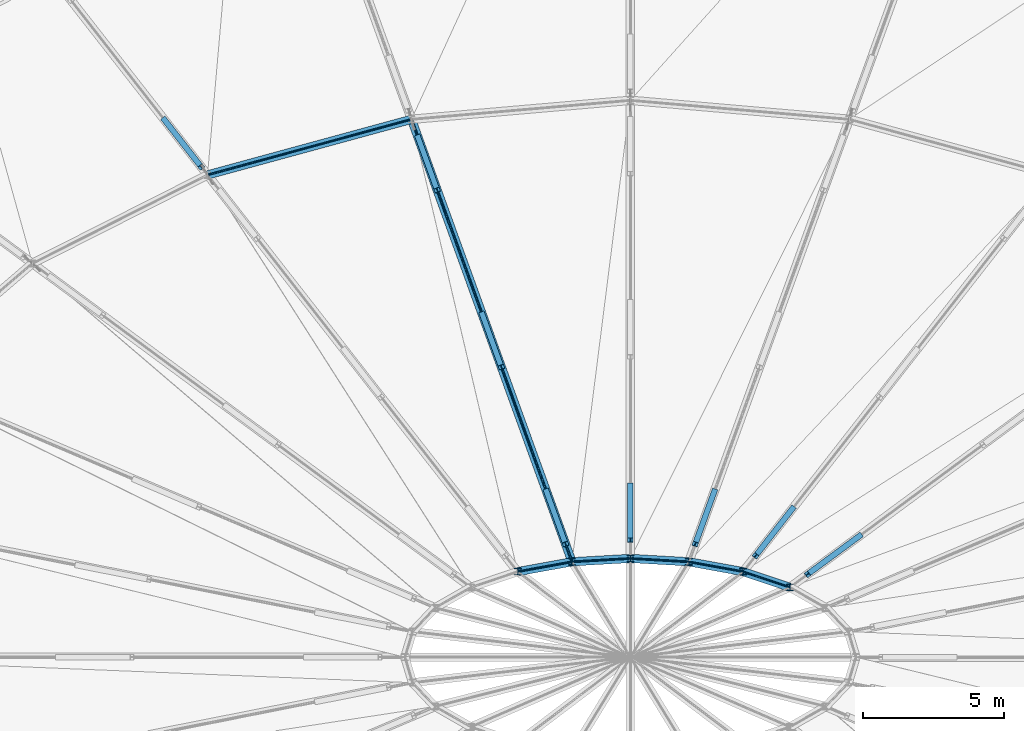
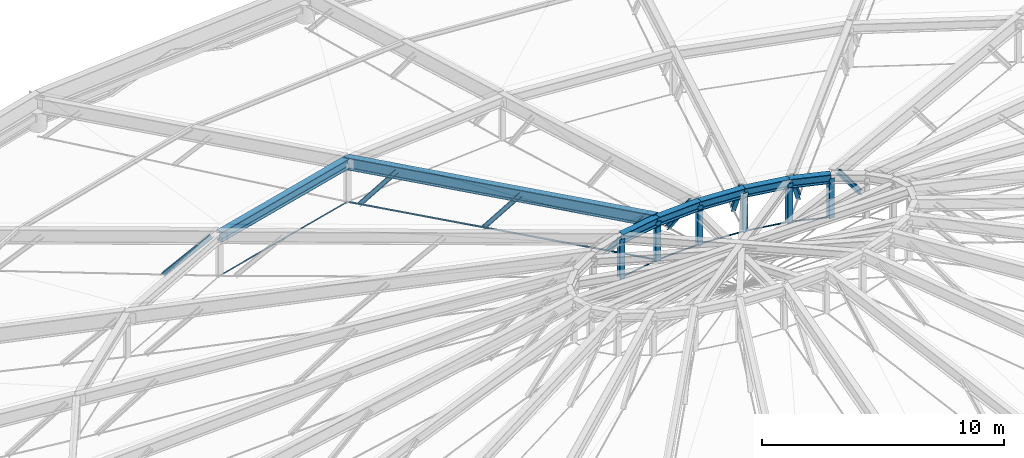
# One storey, part 18 of 83: 21 members, 7 beams.
"""IFC4 building model written with IfcOpenShell, lengths in metres."""

from ifc_helpers import new_model, si_unit, direction, frame, origin, origin_2d, place, context, subcontext, project, spatial, circle, i_section, extrude, material, material_profile, profile_set, type_object, element, save


model = new_model("IFC4")

# Units and contexts
model_context = context("Model", 3, precision=1e-05, world=origin(), true_north=direction((0.0, 1.0)))
body_context = subcontext(model_context, "Body", "Model", "MODEL_VIEW")
ifc_project = project(units=[si_unit("LENGTHUNIT", "METRE"), si_unit("AREAUNIT", "SQUARE_METRE"), si_unit("VOLUMEUNIT", "CUBIC_METRE"), si_unit("PLANEANGLEUNIT", "RADIAN"), si_unit("MASSUNIT", "GRAM", prefix="KILO")], contexts=[model_context])

# Site, building, storey
site_placement = place(None, origin())
site = spatial("IfcSite", under=ifc_project, at=site_placement, CompositionType="ELEMENT")
building_placement = place(site_placement, origin())
building = spatial("IfcBuilding", under=site, at=building_placement, Name="Kivolera Central Railway Station", CompositionType="ELEMENT")
storey_placement = place(building_placement, frame((0.0, 0.0, 14.39990234375)))
storey = spatial("IfcBuildingStorey", under=building, at=storey_placement, Name="L03", CompositionType="ELEMENT", Elevation=14.39990234375)

# Beams
ifc_material_1 = material(Name="Steel S355", Category="steel")
ifc_material_profile_1 = material_profile(ifc_material_1, i_section(OverallWidth=0.300048828125, OverallDepth=0.449951171875, WebThickness=0.013916015625, FlangeThickness=0.02587890625, FilletRadius=0.027099609375, at=origin_2d()), Name="HEB 450")
ifc_profile_set_1 = profile_set([ifc_material_profile_1], Name="Steel S355")
beam_type_1 = type_object("IfcBeamType", Name="BM-DCR-HEB450", PredefinedType="BEAM", material=ifc_profile_set_1)
beam_1_placement = place(storey_placement, frame((69.656982421875, 92.47509765625, 10.380126953125), z_axis=(-0.948066876062, 0.318071058906, 0.0), x_axis=(-0.318071058906, -0.948066876062, 0.0)))
element("IfcBeam", 1, at=beam_1_placement, inside=storey, type_object=beam_type_1, Name="Oval Dome Inner Crown Ring Beam DCR2-04", PredefinedType="BEAM", context=body_context, shape_type="SweptSolid", body=[
    extrude(i_section(OverallWidth=0.300048828125, OverallDepth=0.449951171875, WebThickness=0.013916015625, FlangeThickness=0.02587890625, FilletRadius=0.027099609375, at=origin_2d()), origin(), (0.0, 0.0, 1.0), 1.747802734375),
])
beam_2_placement = place(storey_placement, frame((68.0, 93.031005859375, 10.380126953125), z_axis=(-0.983925652492, 0.178578583176, 0.0), x_axis=(-0.178578583176, -0.983925652492, 0.0)))
element("IfcBeam", 2, at=beam_2_placement, inside=storey, type_object=beam_type_1, Name="Oval Dome Inner Crown Ring Beam DCR2-05", PredefinedType="BEAM", context=body_context, shape_type="SweptSolid", body=[
    extrude(i_section(OverallWidth=0.300048828125, OverallDepth=0.449951171875, WebThickness=0.013916015625, FlangeThickness=0.02587890625, FilletRadius=0.027099609375, at=origin_2d()), origin(), (0.0, 0.0, 1.0), 1.96044921875),
])
for number, where, z_axis, x_axis, name in (
    (3, (66.071044921875, 93.381103515625, 10.380126953125), (-0.998356169233, 0.057314564944, 0.0), (-0.057314564944, -0.998356169233, 0.0), "Oval Dome Inner Crown Ring Beam DCR2-06"),
    (4, (64.0, 93.5, 10.380126953125), (-0.998356169233, -0.057314564944, 0.0), (0.057314564944, -0.998356169233, 0.0), "Oval Dome Inner Crown Ring Beam DCR2-07"),
):
    element("IfcBeam", number, at=place(storey_placement, frame(where, z_axis=z_axis, x_axis=x_axis)), inside=storey, type_object=beam_type_1, Name=name, PredefinedType="BEAM", context=body_context, shape_type="SweptSolid", body=[
        extrude(i_section(OverallWidth=0.300048828125, OverallDepth=0.449951171875, WebThickness=0.013916015625, FlangeThickness=0.02587890625, FilletRadius=0.027099609375, at=origin_2d()), origin(), (0.0, 0.0, 1.0), 2.074462890625),
    ])
beam_3_placement = place(storey_placement, frame((61.928955078125, 93.381103515625, 10.380126953125), z_axis=(-0.983925652492, -0.178578583176, 0.0), x_axis=(0.178578583176, -0.983925652492, 0.0)))
element("IfcBeam", 5, at=beam_3_placement, inside=storey, type_object=beam_type_1, Name="Oval Dome Inner Crown Ring Beam DCR2-08", PredefinedType="BEAM", context=body_context, shape_type="SweptSolid", body=[
    extrude(i_section(OverallWidth=0.300048828125, OverallDepth=0.449951171875, WebThickness=0.013916015625, FlangeThickness=0.02587890625, FilletRadius=0.027099609375, at=origin_2d()), origin(), (0.0, 0.0, 1.0), 1.96044921875),
])
ifc_material_profile_2 = material_profile(ifc_material_1, i_section(OverallWidth=0.300048828125, OverallDepth=0.60009765625, WebThickness=0.015380859375, FlangeThickness=0.030029296875, FilletRadius=0.027099609375, at=origin_2d()), Name="HEB 600")
ifc_profile_set_2 = profile_set([ifc_material_profile_2], Name="Steel S355")
beam_type_2 = type_object("IfcBeamType", Name="BM-DRB-HEB600", PredefinedType="BEAM", material=ifc_profile_set_2)
beam_4_placement = place(storey_placement, frame((56.235107421875, 109.076904296875, 5.780029296875), z_axis=(0.328767895106, -0.906289682546, 0.265613784391), x_axis=(0.940056982203, 0.341017404557, 0.0)))
element("IfcBeam", 6, at=beam_4_placement, inside=storey, type_object=beam_type_2, Name="Oval Dome Radial Arch Rib Mid Segment DRB2-08", PredefinedType="BEAM", context=body_context, shape_type="SweptSolid", body=[
    extrude(i_section(OverallWidth=0.300048828125, OverallDepth=0.60009765625, WebThickness=0.015380859375, FlangeThickness=0.030029296875, FilletRadius=0.027099609375, at=origin_2d()), origin(), (0.0, 0.0, 1.0), 17.31884765625),
])
ifc_material_profile_3 = material_profile(ifc_material_1, i_section(OverallWidth=0.300048828125, OverallDepth=0.5, WebThickness=0.014404296875, FlangeThickness=0.028076171875, FilletRadius=0.027099609375, at=origin_2d()), Name="HEB 500")
ifc_profile_set_3 = profile_set([ifc_material_profile_3], Name="Steel S355")
beam_type_3 = type_object("IfcBeamType", Name="BM-HRG-HEB500", PredefinedType="BEAM", material=ifc_profile_set_3)
beam_5_placement = place(storey_placement, frame((56.235107421875, 109.076904296875, 5.780029296875), z_axis=(-0.964774338312, -0.263078840152, 0.0), x_axis=(0.263078840152, -0.964774338312, 0.0)))
element("IfcBeam", 7, at=beam_5_placement, inside=storey, type_object=beam_type_3, Name="Oval Dome Outer Hoop Ring Beam HRG1-08", PredefinedType="BEAM", context=body_context, shape_type="SweptSolid", body=[
    extrude(i_section(OverallWidth=0.300048828125, OverallDepth=0.5, WebThickness=0.014404296875, FlangeThickness=0.028076171875, FilletRadius=0.027099609375, at=origin_2d()), origin(), (0.0, 0.0, 1.0), 7.499267578125),
])

# Members
ifc_material_2 = material(Name="Spiral strand steel S460", Category="steel")
ifc_material_profile_4 = material_profile(ifc_material_2, circle(Radius=0.02392578125, at=origin_2d()), Name="CABLE D48")
ifc_profile_set_4 = profile_set([ifc_material_profile_4], Name="Spiral strand steel S460")
member_type_1 = type_object("IfcMemberType", Name="MEM-CABLE-D48", PredefinedType="USERDEFINED", material=ifc_profile_set_4)
member_1_placement = place(storey_placement, frame((69.656982421875, 92.47509765625, 8.380126953125), z_axis=(-0.948066876062, 0.318071058906, 0.0), x_axis=(-0.318071058906, -0.948066876062, 0.0)))
element("IfcMember", 8, at=member_1_placement, inside=storey, type_object=member_type_1, Name="Dome Crown Hoop Tension Cable HC2-04", ObjectType="TENSION_CABLE", PredefinedType="USERDEFINED", context=body_context, shape_type="SweptSolid", body=[
    extrude(circle(Radius=0.02392578125, at=origin_2d()), origin(), (0.0, 0.0, 1.0), 1.747802734375),
])
member_2_placement = place(storey_placement, frame((68.0, 93.031005859375, 8.380126953125), z_axis=(-0.983925652492, 0.178578583176, 0.0), x_axis=(-0.178578583176, -0.983925652492, 0.0)))
element("IfcMember", 9, at=member_2_placement, inside=storey, type_object=member_type_1, Name="Dome Crown Hoop Tension Cable HC2-05", ObjectType="TENSION_CABLE", PredefinedType="USERDEFINED", context=body_context, shape_type="SweptSolid", body=[
    extrude(circle(Radius=0.02392578125, at=origin_2d()), origin(), (0.0, 0.0, 1.0), 1.96044921875),
])
for number, where, z_axis, x_axis, name in (
    (10, (66.071044921875, 93.381103515625, 8.380126953125), (-0.998356169233, 0.057314564944, 0.0), (-0.057314564944, -0.998356169233, 0.0), "Dome Crown Hoop Tension Cable HC2-06"),
    (11, (64.0, 93.5, 8.380126953125), (-0.998356169233, -0.057314564944, 0.0), (0.057314564944, -0.998356169233, 0.0), "Dome Crown Hoop Tension Cable HC2-07"),
):
    element("IfcMember", number, at=place(storey_placement, frame(where, z_axis=z_axis, x_axis=x_axis)), inside=storey, type_object=member_type_1, Name=name, ObjectType="TENSION_CABLE", PredefinedType="USERDEFINED", context=body_context, shape_type="SweptSolid", body=[
        extrude(circle(Radius=0.02392578125, at=origin_2d()), origin(), (0.0, 0.0, 1.0), 2.074462890625),
    ])
member_3_placement = place(storey_placement, frame((56.235107421875, 109.076904296875, 3.780029296875), z_axis=(-0.964774338312, -0.263078840152, 0.0), x_axis=(0.263078840152, -0.964774338312, 0.0)))
element("IfcMember", 12, at=member_3_placement, inside=storey, type_object=member_type_1, Name="Dome Hoop Tension Cable HC1-08", ObjectType="TENSION_CABLE", PredefinedType="USERDEFINED", context=body_context, shape_type="SweptSolid", body=[
    extrude(circle(Radius=0.02392578125, at=origin_2d()), origin(), (0.0, 0.0, 1.0), 7.499267578125),
])
member_4_placement = place(storey_placement, frame((61.928955078125, 93.381103515625, 8.380126953125), z_axis=(-0.983925652492, -0.178578583176, 0.0), x_axis=(0.178578583176, -0.983925652492, 0.0)))
element("IfcMember", 13, at=member_4_placement, inside=storey, type_object=member_type_1, Name="Dome Crown Hoop Tension Cable HC2-08", ObjectType="TENSION_CABLE", PredefinedType="USERDEFINED", context=body_context, shape_type="SweptSolid", body=[
    extrude(circle(Radius=0.02392578125, at=origin_2d()), origin(), (0.0, 0.0, 1.0), 1.96044921875),
])
ifc_material_profile_5 = material_profile(ifc_material_2, circle(Radius=0.031982421875, at=origin_2d()), Name="CABLE D64")
ifc_profile_set_5 = profile_set([ifc_material_profile_5], Name="Spiral strand steel S460")
member_type_2 = type_object("IfcMemberType", Name="MEM-CABLE-D64", PredefinedType="USERDEFINED", material=ifc_profile_set_5)
member_5_placement = place(storey_placement, frame((56.235107421875, 109.076904296875, 3.780029296875), z_axis=(0.328767895106, -0.906289682546, 0.265613784391), x_axis=(0.940056982203, 0.341017404557, 0.0)))
element("IfcMember", 14, at=member_5_placement, inside=storey, type_object=member_type_2, Name="Dome Inner Radial Tension Cable RC2-08", ObjectType="TENSION_CABLE", PredefinedType="USERDEFINED", context=body_context, shape_type="SweptSolid", body=[
    extrude(circle(Radius=0.031982421875, at=origin_2d()), origin(), (0.0, 0.0, 1.0), 17.31884765625),
])
ifc_material_profile_6 = material_profile(ifc_material_1, i_section(OverallWidth=0.239990234375, OverallDepth=0.22998046875, WebThickness=0.007568359375, FlangeThickness=0.011962890625, FilletRadius=0.02099609375, at=origin_2d()), Name="HEA 240")
ifc_profile_set_6 = profile_set([ifc_material_profile_6], Name="Steel S355")
member_type_3 = type_object("IfcMemberType", Name="MEM-RAF-HEA240", PredefinedType="STRUT", material=ifc_profile_set_6)
for number, where, z_axis, x_axis, name in (
    (15, (69.656982421875, 92.47509765625, 8.380126953125), (0.0, 0.0, 1.0), (1.0, 0.0, 0.0), "Dome Crown Spreader Post DP2-04"),
    (16, (68.0, 93.031005859375, 8.380126953125), (0.0, 0.0, 1.0), (1.0, 0.0, 0.0), "Dome Crown Spreader Post DP2-05"),
    (17, (66.071044921875, 93.381103515625, 8.380126953125), (0.0, 0.0, 1.0), (1.0, 0.0, 0.0), "Dome Crown Spreader Post DP2-06"),
    (18, (64.0, 93.5, 8.380126953125), (0.0, 0.0, 1.0), (1.0, 0.0, 0.0), "Dome Crown Spreader Post DP2-07"),
    (19, (61.928955078125, 93.381103515625, 8.380126953125), (0.0, 0.0, 1.0), (1.0, 0.0, 0.0), "Dome Crown Spreader Post DP2-08"),
    (20, (60.0, 93.031005859375, 8.380126953125), (0.0, 0.0, 1.0), (1.0, 0.0, 0.0), "Dome Crown Spreader Post DP2-09"),
):
    element("IfcMember", number, at=place(storey_placement, frame(where, z_axis=z_axis, x_axis=x_axis)), inside=storey, type_object=member_type_3, Name=name, PredefinedType="STRUT", context=body_context, shape_type="SweptSolid", body=[
        extrude(i_section(OverallWidth=0.239990234375, OverallDepth=0.22998046875, WebThickness=0.007568359375, FlangeThickness=0.011962890625, FilletRadius=0.02099609375, at=origin_2d()), origin(), (0.0, 0.0, 1.0), 2.0),
    ])
ifc_material_profile_7 = material_profile(ifc_material_1, i_section(OverallWidth=0.199951171875, OverallDepth=0.199951171875, WebThickness=0.009033203125, FlangeThickness=0.014892578125, FilletRadius=0.01806640625, at=origin_2d()), Name="HEB 200")
ifc_profile_set_7 = profile_set([ifc_material_profile_7], Name="Steel S355")
member_type_4 = type_object("IfcMemberType", Name="MEM-RAF-HEB200", PredefinedType="RAFTER", material=ifc_profile_set_7)
member_6_placement = place(storey_placement, frame((72.14599609375, 94.31298828125, 7.64404296875), z_axis=(-0.541270764983, -0.39949420656, 0.739885354566), x_axis=(0.593837701674, -0.804584852002, 0.0)))
element("IfcMember", 21, at=member_6_placement, inside=storey, type_object=member_type_4, Name="Dome Inner Truss Raking Web DWEB2-04.3", PredefinedType="RAFTER", context=body_context, shape_type="SweptSolid", body=[
    extrude(i_section(OverallWidth=0.199951171875, OverallDepth=0.199951171875, WebThickness=0.009033203125, FlangeThickness=0.014892578125, FilletRadius=0.01806640625, at=origin_2d()), origin(), (0.0, 0.0, 1.0), 3.44921875),
])
member_7_placement = place(storey_placement, frame((69.760009765625, 95.282958984375, 7.64404296875), z_axis=(-0.396077804274, -0.506762761229, 0.765711353444), x_axis=(0.787896583564, -0.615807578394, 0.0)))
element("IfcMember", 22, at=member_7_placement, inside=storey, type_object=member_type_4, Name="Dome Inner Truss Raking Web DWEB2-05.3", PredefinedType="RAFTER", context=body_context, shape_type="SweptSolid", body=[
    extrude(i_section(OverallWidth=0.199951171875, OverallDepth=0.199951171875, WebThickness=0.009033203125, FlangeThickness=0.014892578125, FilletRadius=0.01806640625, at=origin_2d()), origin(), (0.0, 0.0, 1.0), 3.332763671875),
])
member_8_placement = place(storey_placement, frame((66.98193359375, 95.89208984375, 7.64404296875), z_axis=(-0.210485993598, -0.580435634115, 0.78663213839), x_axis=(0.940095542552, -0.340911089397, 0.0)))
element("IfcMember", 23, at=member_8_placement, inside=storey, type_object=member_type_4, Name="Dome Inner Truss Raking Web DWEB2-06.3", PredefinedType="RAFTER", context=body_context, shape_type="SweptSolid", body=[
    extrude(i_section(OverallWidth=0.199951171875, OverallDepth=0.199951171875, WebThickness=0.009033203125, FlangeThickness=0.014892578125, FilletRadius=0.01806640625, at=origin_2d()), origin(), (0.0, 0.0, 1.0), 3.244140625),
])
member_9_placement = place(storey_placement, frame((64.0, 96.10009765625, 7.64404296875), z_axis=(0.0, -0.607187682009, 0.794558442669), x_axis=(1.0, 0.0, 0.0)))
element("IfcMember", 24, at=member_9_placement, inside=storey, type_object=member_type_4, Name="Dome Inner Truss Raking Web DWEB2-07.3", PredefinedType="RAFTER", context=body_context, shape_type="SweptSolid", body=[
    extrude(i_section(OverallWidth=0.199951171875, OverallDepth=0.199951171875, WebThickness=0.009033203125, FlangeThickness=0.014892578125, FilletRadius=0.01806640625, at=origin_2d()), origin(), (0.0, 0.0, 1.0), 3.2119140625),
])
member_10_placement = place(storey_placement, frame((56.462890625, 108.448974609375, 3.964111328125), z_axis=(0.210557911999, -0.580426438616, 0.786619676242), x_axis=(0.940056475347, 0.341018801766, 0.0)))
element("IfcMember", 25, at=member_10_placement, inside=storey, type_object=member_type_4, Name="Dome Inner Truss Raking Web DWEB2-08.1", PredefinedType="RAFTER", context=body_context, shape_type="SweptSolid", body=[
    extrude(i_section(OverallWidth=0.199951171875, OverallDepth=0.199951171875, WebThickness=0.009033203125, FlangeThickness=0.014892578125, FilletRadius=0.01806640625, at=origin_2d()), origin(), (0.0, 0.0, 1.0), 3.244384765625),
])
member_11_placement = place(storey_placement, frame((58.739990234375, 102.1708984375, 5.80419921875), z_axis=(0.210817926506, -0.580539300827, 0.786466732964), x_axis=(0.939942715571, 0.341332230305, 0.0)))
element("IfcMember", 26, at=member_11_placement, inside=storey, type_object=member_type_4, Name="Dome Inner Truss Raking Web DWEB2-08.2", PredefinedType="RAFTER", context=body_context, shape_type="SweptSolid", body=[
    extrude(i_section(OverallWidth=0.199951171875, OverallDepth=0.199951171875, WebThickness=0.009033203125, FlangeThickness=0.014892578125, FilletRadius=0.01806640625, at=origin_2d()), origin(), (0.0, 0.0, 1.0), 3.244873046875),
])
member_12_placement = place(storey_placement, frame((61.01806640625, 95.89208984375, 7.64404296875), z_axis=(0.210485993598, -0.580435634115, 0.78663213839), x_axis=(0.940095542552, 0.340911089397, 0.0)))
element("IfcMember", 27, at=member_12_placement, inside=storey, type_object=member_type_4, Name="Dome Inner Truss Raking Web DWEB2-08.3", PredefinedType="RAFTER", context=body_context, shape_type="SweptSolid", body=[
    extrude(i_section(OverallWidth=0.199951171875, OverallDepth=0.199951171875, WebThickness=0.009033203125, FlangeThickness=0.014892578125, FilletRadius=0.01806640625, at=origin_2d()), origin(), (0.0, 0.0, 1.0), 3.244140625),
])
member_13_placement = place(storey_placement, frame((47.4599609375, 109.073974609375, 3.18798828125), z_axis=(0.400846397607, -0.512863950184, 0.759139469483), x_axis=(0.787896583564, 0.615807578394, 0.0)))
element("IfcMember", 28, at=member_13_placement, inside=storey, type_object=member_type_4, Name="Dome Radial Truss Raking Web DWEB1-09.3", PredefinedType="RAFTER", context=body_context, shape_type="SweptSolid", body=[
    extrude(i_section(OverallWidth=0.199951171875, OverallDepth=0.199951171875, WebThickness=0.009033203125, FlangeThickness=0.014892578125, FilletRadius=0.01806640625, at=origin_2d()), origin(), (0.0, 0.0, 1.0), 3.293212890625),
])

save(model, "model.ifc")
